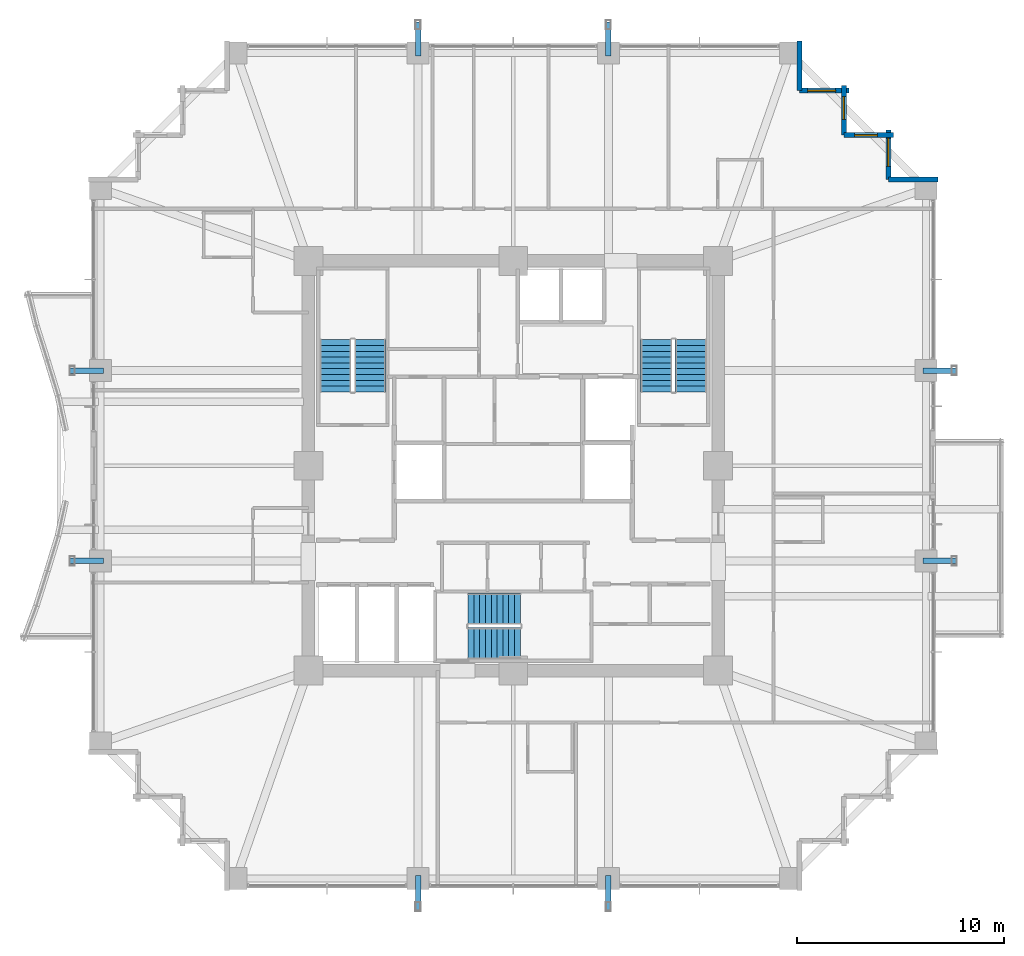
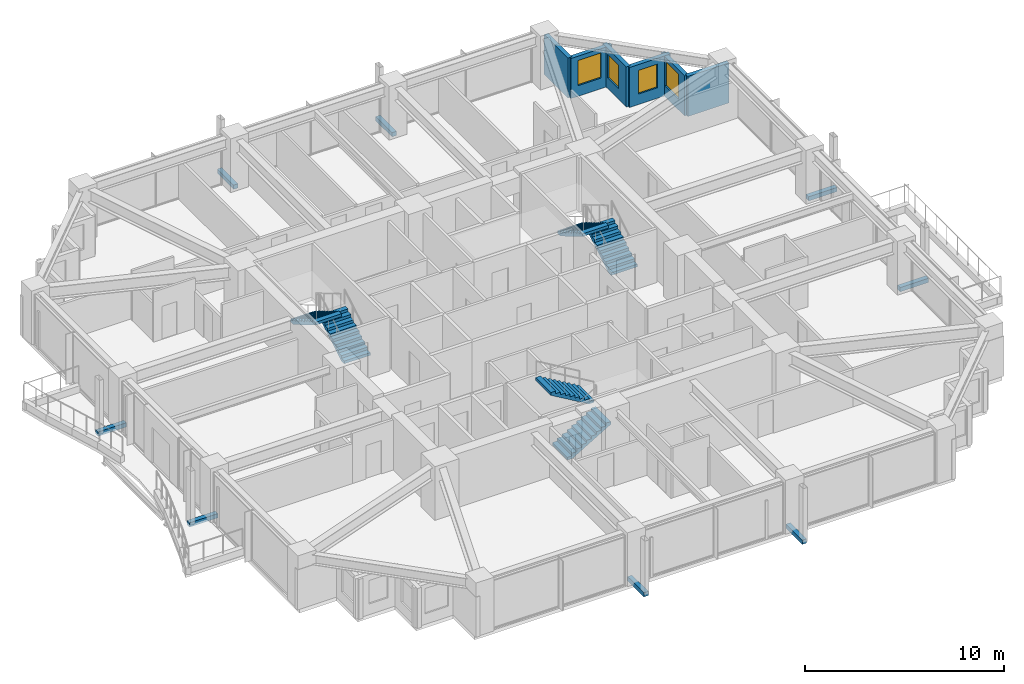
# One storey, part 35 of 37: 8 discrete accessories, 6 stair flights, 6 walls, 4 windows, 4 openings, 3 elements without a shape of their own.
"""IFC4 building model written with IfcOpenShell, lengths in metres."""

from ifc_helpers import new_model, si_unit, direction, frame, frame_2d, origin, origin_2d, place, context, subcontext, project, spatial, polyline, rectangle, outline, extrude, material, layer, layer_set, type_object, element, fill, aggregate, save


model = new_model("IFC4")

# Units and contexts
model_context = context("Model", 3, precision=1e-05, world=origin(), true_north=direction((0.0, 1.0)))
body_context = subcontext(model_context, "Body", "Model", "MODEL_VIEW")
ifc_project = project(units=[si_unit("LENGTHUNIT", "METRE"), si_unit("AREAUNIT", "SQUARE_METRE"), si_unit("VOLUMEUNIT", "CUBIC_METRE"), si_unit("PLANEANGLEUNIT", "RADIAN"), si_unit("MASSUNIT", "GRAM", prefix="KILO")], contexts=[model_context])

# Site, building, storey
site_placement = place(None, origin())
site = spatial("IfcSite", under=ifc_project, at=site_placement, CompositionType="ELEMENT")
building_placement = place(site_placement, origin())
building = spatial("IfcBuilding", under=site, at=building_placement, Name="Kolvaren Belvedere", CompositionType="ELEMENT")
storey_placement = place(building_placement, frame((0.0, 0.0, 82.10009765625)))
storey = spatial("IfcBuildingStorey", under=building, at=storey_placement, Name="L23", CompositionType="ELEMENT", Elevation=82.10009765625)

# Wall
ifc_material_1 = material(Name="Insulated pale-metal facade wall assembly", Category="aluminium")
ifc_layer = layer(ifc_material_1, 0.239990234375)
ifc_layer_set = layer_set([ifc_layer], Name="Insulated pale-metal facade wall assembly")
wall_type = type_object("IfcWallType", Name="WL-EXT-240", PredefinedType="STANDARD", material=ifc_layer_set)
wall_1_placement = place(storey_placement, frame((18.1298828125, 13.830078125, 0.0), z_axis=(0.0, 0.0, 1.0), x_axis=(1.0, 0.0, 0.0)))
element("IfcWall", 1, at=wall_1_placement, inside=storey, type_object=wall_type, Name="L23 Serrated Corner Facade Wall 9", PredefinedType="STANDARD", context=body_context, shape_type="SweptSolid", body=[
    extrude(rectangle(XDim=2.39013671875, YDim=0.239990234375, at=frame_2d((1.195068359375, 0.0))), origin(), (0.0, 0.0, 1.0), 2.458984375),
])

# Wall, opening, window
wall_2_placement = place(storey_placement, frame((18.1298828125, 16.219970703125, 0.0), z_axis=(0.0, 0.0, 1.0), x_axis=(0.0, -1.0, 0.0)))
wall_2 = element("IfcWall", 2, at=wall_2_placement, inside=storey, type_object=wall_type, Name="L23 Serrated Corner Facade Wall 10", PredefinedType="STANDARD", context=body_context, shape_type="SweptSolid", body=[
    extrude(rectangle(XDim=2.389892578125, YDim=0.239990234375, at=frame_2d((1.19482421875, 0.0))), origin(), (0.0, 0.0, 1.0), 2.458984375),
])
opening_1_placement = place(wall_2_placement, frame((0.39990234375, 0.0, 0.64990234375)))
opening_1 = element("IfcOpeningElement", 3, at=opening_1_placement, cuts=wall_2, Name="Opening W-1350", PredefinedType="OPENING", context=body_context, shape_type="SweptSolid", body=[
    extrude(rectangle(XDim=1.35009765625, YDim=1.550048828125, at=frame_2d((0.675048828125, 0.77490234375))), frame((0.0, 0.1298828125, 0.0), z_axis=(0.0, -1.0, 0.0), x_axis=(1.0, 0.0, 0.0)), (0.0, 0.0, 1.0), 0.260009765625),
])
ifc_material_2 = material(Name="Low-iron triple insulated glass", Category="glass")
window_type_1 = type_object("IfcWindowType", Name="WN-CORN-1350", PartitioningType="SINGLE_PANEL", PredefinedType="WINDOW", material=ifc_material_2)
window_1_placement = place(opening_1_placement, origin())
window_1 = element("IfcWindow", 4, at=window_1_placement, inside=storey, type_object=window_type_1, Name="L23 Serrated Corner Vision Window 10", OverallHeight=1.550048828125, OverallWidth=1.35009765625, PartitioningType="SINGLE_PANEL", PredefinedType="WINDOW", context=body_context, shape_type="SweptSolid", body=[
    extrude(rectangle(XDim=1.35009765625, YDim=1.550048828125, at=frame_2d((0.675048828125, 0.77490234375))), frame((0.0, 0.030029296875, 0.0), z_axis=(0.0, -1.0, 0.0), x_axis=(1.0, 0.0, 0.0)), (0.0, 0.0, 1.0), 0.06005859375),
])
fill(opening_1, window_1)

wall_3_placement = place(storey_placement, frame((15.97998046875, 15.97998046875, 0.0), z_axis=(0.0, 0.0, 1.0), x_axis=(1.0, 0.0, 0.0)))
wall_3 = element("IfcWall", 5, at=wall_3_placement, inside=storey, type_object=wall_type, Name="L23 Serrated Corner Facade Wall 11", PredefinedType="STANDARD", context=body_context, shape_type="SweptSolid", body=[
    extrude(rectangle(XDim=2.39013671875, YDim=0.239990234375, at=frame_2d((1.195068359375, 0.0))), origin(), (0.0, 0.0, 1.0), 2.458984375),
])
opening_2_placement = place(wall_3_placement, frame((0.52490234375, 0.0, 0.64990234375)))
opening_2 = element("IfcOpeningElement", 6, at=opening_2_placement, cuts=wall_3, Name="Opening W-1100", PredefinedType="OPENING", context=body_context, shape_type="SweptSolid", body=[
    extrude(rectangle(XDim=1.10009765625, YDim=1.449951171875, at=frame_2d((0.550048828125, 0.72509765625))), frame((0.0, 0.1298828125, 0.0), z_axis=(0.0, -1.0, 0.0), x_axis=(1.0, 0.0, 0.0)), (0.0, 0.0, 1.0), 0.260009765625),
])
ifc_material_3 = material(Name="Low-iron triple insulated glass", Category="glass")
window_type_2 = type_object("IfcWindowType", Name="WN-CORN-1100", PartitioningType="SINGLE_PANEL", PredefinedType="WINDOW", material=ifc_material_3)
window_2_placement = place(opening_2_placement, origin())
window_2 = element("IfcWindow", 7, at=window_2_placement, inside=storey, type_object=window_type_2, Name="L23 Serrated Corner Vision Window 11", OverallHeight=1.449951171875, OverallWidth=1.10009765625, PartitioningType="SINGLE_PANEL", PredefinedType="WINDOW", context=body_context, shape_type="SweptSolid", body=[
    extrude(rectangle(XDim=1.10009765625, YDim=1.449951171875, at=frame_2d((0.550048828125, 0.72509765625))), frame((0.0, 0.030029296875, 0.0), z_axis=(0.0, -1.0, 0.0), x_axis=(1.0, 0.0, 0.0)), (0.0, 0.0, 1.0), 0.06005859375),
])
fill(opening_2, window_2)

wall_4_placement = place(storey_placement, frame((15.97998046875, 18.3701171875, 0.0), z_axis=(0.0, 0.0, 1.0), x_axis=(0.0, -1.0, 0.0)))
wall_4 = element("IfcWall", 8, at=wall_4_placement, inside=storey, type_object=wall_type, Name="L23 Serrated Corner Facade Wall 12", PredefinedType="STANDARD", context=body_context, shape_type="SweptSolid", body=[
    extrude(rectangle(XDim=2.39013671875, YDim=0.239990234375, at=frame_2d((1.195068359375, 0.0))), origin(), (0.0, 0.0, 1.0), 2.458984375),
])
opening_3_placement = place(wall_4_placement, frame((0.52490234375, 0.0, 0.64990234375)))
opening_3 = element("IfcOpeningElement", 9, at=opening_3_placement, cuts=wall_4, Name="Opening W-1100", PredefinedType="OPENING", context=body_context, shape_type="SweptSolid", body=[
    extrude(rectangle(XDim=1.10009765625, YDim=1.449951171875, at=frame_2d((0.550048828125, 0.72509765625))), frame((0.0, 0.1298828125, 0.0), z_axis=(0.0, -1.0, 0.0), x_axis=(1.0, 0.0, 0.0)), (0.0, 0.0, 1.0), 0.260009765625),
])
window_3_placement = place(opening_3_placement, origin())
window_3 = element("IfcWindow", 10, at=window_3_placement, inside=storey, type_object=window_type_2, Name="L23 Serrated Corner Vision Window 12", OverallHeight=1.449951171875, OverallWidth=1.10009765625, PartitioningType="SINGLE_PANEL", PredefinedType="WINDOW", context=body_context, shape_type="SweptSolid", body=[
    extrude(rectangle(XDim=1.10009765625, YDim=1.449951171875, at=frame_2d((0.550048828125, 0.72509765625))), frame((0.0, 0.030029296875, 0.0), z_axis=(0.0, -1.0, 0.0), x_axis=(1.0, 0.0, 0.0)), (0.0, 0.0, 1.0), 0.06005859375),
])
fill(opening_3, window_3)

wall_5_placement = place(storey_placement, frame((13.830078125, 18.1298828125, 0.0), z_axis=(0.0, 0.0, 1.0), x_axis=(1.0, 0.0, 0.0)))
wall_5 = element("IfcWall", 11, at=wall_5_placement, inside=storey, type_object=wall_type, Name="L23 Serrated Corner Facade Wall 13", PredefinedType="STANDARD", context=body_context, shape_type="SweptSolid", body=[
    extrude(rectangle(XDim=2.389892578125, YDim=0.239990234375, at=frame_2d((1.19482421875, 0.0))), origin(), (0.0, 0.0, 1.0), 2.458984375),
])
opening_4_placement = place(wall_5_placement, frame((0.39990234375, 0.0, 0.64990234375)))
opening_4 = element("IfcOpeningElement", 12, at=opening_4_placement, cuts=wall_5, Name="Opening W-1350", PredefinedType="OPENING", context=body_context, shape_type="SweptSolid", body=[
    extrude(rectangle(XDim=1.35009765625, YDim=1.550048828125, at=frame_2d((0.675048828125, 0.77490234375))), frame((0.0, 0.1298828125, 0.0), z_axis=(0.0, -1.0, 0.0), x_axis=(1.0, 0.0, 0.0)), (0.0, 0.0, 1.0), 0.260009765625),
])
window_4_placement = place(opening_4_placement, origin())
window_4 = element("IfcWindow", 13, at=window_4_placement, inside=storey, type_object=window_type_1, Name="L23 Serrated Corner Vision Window 13", OverallHeight=1.550048828125, OverallWidth=1.35009765625, PartitioningType="SINGLE_PANEL", PredefinedType="WINDOW", context=body_context, shape_type="SweptSolid", body=[
    extrude(rectangle(XDim=1.35009765625, YDim=1.550048828125, at=frame_2d((0.675048828125, 0.77490234375))), frame((0.0, 0.030029296875, 0.0), z_axis=(0.0, -1.0, 0.0), x_axis=(1.0, 0.0, 0.0)), (0.0, 0.0, 1.0), 0.06005859375),
])
fill(opening_4, window_4)

# Wall
wall_6_placement = place(storey_placement, frame((13.830078125, 20.52001953125, 0.0), z_axis=(0.0, 0.0, 1.0), x_axis=(0.0, -1.0, 0.0)))
element("IfcWall", 14, at=wall_6_placement, inside=storey, type_object=wall_type, Name="L23 Serrated Corner Facade Wall 14", PredefinedType="STANDARD", context=body_context, shape_type="SweptSolid", body=[
    extrude(rectangle(XDim=2.39013671875, YDim=0.239990234375, at=frame_2d((1.195068359375, 0.0))), origin(), (0.0, 0.0, 1.0), 2.458984375),
])

# Stair, stair flights
ifc_material_4 = material(Name="Concrete C50/60", Category="concrete")
stair_type = type_object("IfcStairType", Name="ST-CORE-1520", PredefinedType="HALF_TURN_STAIR", material=ifc_material_4)
stair_1_placement = place(storey_placement, origin())
stair_1 = element("IfcStair", 15, at=stair_1_placement, inside=storey, type_object=stair_type, Name="L23 Protected Exit Stair ST-1", PredefinedType="HALF_TURN_STAIR")
ifc_material_5 = material(Name="Concrete C50/60", Category="concrete")
stair_flight_type = type_object("IfcStairFlightType", Name="SF-STR-1520", PredefinedType="STRAIGHT", material=ifc_material_5)
stair_flight_1_placement = place(storey_placement, frame((-6.919921875, 3.570068359375, 0.0), z_axis=(0.0, 0.0, 1.0), x_axis=(0.0, 1.0, 0.0)))
stair_flight_1 = element("IfcStairFlight", 16, at=stair_flight_1_placement, type_object=stair_flight_type, Name="ST-1 flight 1", NumberOfRisers=10, NumberOfTreads=9, PredefinedType="STRAIGHT", RiserHeight=0.165, TreadLength=0.28, context=body_context, shape_type="SweptSolid", body=[
    extrude(outline(polyline([(0.0, 0.0), (0.0, 0.1650390625), (0.280029296875, 0.1650390625), (0.280029296875, 0.330078125), (0.56005859375, 0.330078125), (0.56005859375, 0.4951171875), (0.840087890625, 0.4951171875), (0.840087890625, 0.659912109375), (1.1201171875, 0.659912109375), (1.1201171875, 0.824951171875), (1.39990234375, 0.824951171875), (1.39990234375, 0.989990234375), (1.679931640625, 0.989990234375), (1.679931640625, 1.155029296875), (1.9599609375, 1.155029296875), (1.9599609375, 1.320068359375), (2.239990234375, 1.320068359375), (2.239990234375, 1.485107421875), (2.52001953125, 1.485107421875), (2.52001953125, 1.64990234375), (2.52001953125, 1.31103515625), (0.295166015625, 0.0), (0.0, 0.0)])), frame((0.0, 0.760009765625, 0.0), z_axis=(0.0, -1.0, 0.0), x_axis=(1.0, 0.0, 0.0)), (0.0, 0.0, 1.0), 1.52001953125),
])
stair_flight_2_placement = place(storey_placement, frame((-8.590087890625, 6.090087890625, 1.64990234375), z_axis=(0.0, 0.0, 1.0), x_axis=(0.0, -1.0, 0.0)))
stair_flight_2 = element("IfcStairFlight", 17, at=stair_flight_2_placement, type_object=stair_flight_type, Name="ST-1 flight 2", NumberOfRisers=10, NumberOfTreads=9, PredefinedType="STRAIGHT", RiserHeight=0.165, TreadLength=0.28, context=body_context, shape_type="SweptSolid", body=[
    extrude(outline(polyline([(0.0, 0.0), (0.0, 0.1650390625), (0.280029296875, 0.1650390625), (0.280029296875, 0.330078125), (0.56005859375, 0.330078125), (0.56005859375, 0.4951171875), (0.840087890625, 0.4951171875), (0.840087890625, 0.659912109375), (1.1201171875, 0.659912109375), (1.1201171875, 0.824951171875), (1.39990234375, 0.824951171875), (1.39990234375, 0.989990234375), (1.679931640625, 0.989990234375), (1.679931640625, 1.155029296875), (1.9599609375, 1.155029296875), (1.9599609375, 1.320068359375), (2.239990234375, 1.320068359375), (2.239990234375, 1.485107421875), (2.52001953125, 1.485107421875), (2.52001953125, 1.64990234375), (2.52001953125, 1.31103515625), (0.295166015625, 0.0), (0.0, 0.0)])), frame((0.0, 0.760009765625, 0.0), z_axis=(0.0, -1.0, 0.0), x_axis=(1.0, 0.0, 0.0)), (0.0, 0.0, 1.0), 1.52001953125),
])
aggregate(stair_1, [stair_flight_1, stair_flight_2])

stair_2_placement = place(storey_placement, origin())
stair_2 = element("IfcStair", 18, at=stair_2_placement, inside=storey, type_object=stair_type, Name="L23 Protected Exit Stair ST-2", PredefinedType="HALF_TURN_STAIR")
stair_flight_3_placement = place(storey_placement, frame((8.590087890625, 3.570068359375, 0.0), z_axis=(0.0, 0.0, 1.0), x_axis=(0.0, 1.0, 0.0)))
stair_flight_3 = element("IfcStairFlight", 19, at=stair_flight_3_placement, type_object=stair_flight_type, Name="ST-2 flight 1", NumberOfRisers=10, NumberOfTreads=9, PredefinedType="STRAIGHT", RiserHeight=0.165, TreadLength=0.28, context=body_context, shape_type="SweptSolid", body=[
    extrude(outline(polyline([(0.0, 0.0), (0.0, 0.1650390625), (0.280029296875, 0.1650390625), (0.280029296875, 0.330078125), (0.56005859375, 0.330078125), (0.56005859375, 0.4951171875), (0.840087890625, 0.4951171875), (0.840087890625, 0.659912109375), (1.1201171875, 0.659912109375), (1.1201171875, 0.824951171875), (1.39990234375, 0.824951171875), (1.39990234375, 0.989990234375), (1.679931640625, 0.989990234375), (1.679931640625, 1.155029296875), (1.9599609375, 1.155029296875), (1.9599609375, 1.320068359375), (2.239990234375, 1.320068359375), (2.239990234375, 1.485107421875), (2.52001953125, 1.485107421875), (2.52001953125, 1.64990234375), (2.52001953125, 1.31103515625), (0.295166015625, 0.0), (0.0, 0.0)])), frame((0.0, 0.760009765625, 0.0), z_axis=(0.0, -1.0, 0.0), x_axis=(1.0, 0.0, 0.0)), (0.0, 0.0, 1.0), 1.52001953125),
])
stair_flight_4_placement = place(storey_placement, frame((6.919921875, 6.090087890625, 1.64990234375), z_axis=(0.0, 0.0, 1.0), x_axis=(0.0, -1.0, 0.0)))
stair_flight_4 = element("IfcStairFlight", 20, at=stair_flight_4_placement, type_object=stair_flight_type, Name="ST-2 flight 2", NumberOfRisers=10, NumberOfTreads=9, PredefinedType="STRAIGHT", RiserHeight=0.165, TreadLength=0.28, context=body_context, shape_type="SweptSolid", body=[
    extrude(outline(polyline([(0.0, 0.0), (0.0, 0.1650390625), (0.280029296875, 0.1650390625), (0.280029296875, 0.330078125), (0.56005859375, 0.330078125), (0.56005859375, 0.4951171875), (0.840087890625, 0.4951171875), (0.840087890625, 0.659912109375), (1.1201171875, 0.659912109375), (1.1201171875, 0.824951171875), (1.39990234375, 0.824951171875), (1.39990234375, 0.989990234375), (1.679931640625, 0.989990234375), (1.679931640625, 1.155029296875), (1.9599609375, 1.155029296875), (1.9599609375, 1.320068359375), (2.239990234375, 1.320068359375), (2.239990234375, 1.485107421875), (2.52001953125, 1.485107421875), (2.52001953125, 1.64990234375), (2.52001953125, 1.31103515625), (0.295166015625, 0.0), (0.0, 0.0)])), frame((0.0, 0.760009765625, 0.0), z_axis=(0.0, -1.0, 0.0), x_axis=(1.0, 0.0, 0.0)), (0.0, 0.0, 1.0), 1.52001953125),
])
aggregate(stair_2, [stair_flight_3, stair_flight_4])

stair_3_placement = place(storey_placement, origin())
stair_3 = element("IfcStair", 21, at=stair_3_placement, inside=storey, type_object=stair_type, Name="L23 Protected Exit Stair ST-3", PredefinedType="HALF_TURN_STAIR")
stair_flight_5_placement = place(storey_placement, frame((-2.179931640625, -8.590087890625, 0.0), z_axis=(0.0, 0.0, 1.0), x_axis=(1.0, 0.0, 0.0)))
stair_flight_5 = element("IfcStairFlight", 22, at=stair_flight_5_placement, type_object=stair_flight_type, Name="ST-3 flight 1", NumberOfRisers=10, NumberOfTreads=9, PredefinedType="STRAIGHT", RiserHeight=0.165, TreadLength=0.28, context=body_context, shape_type="SweptSolid", body=[
    extrude(outline(polyline([(0.0, 0.0), (0.0, 0.1650390625), (0.280029296875, 0.1650390625), (0.280029296875, 0.330078125), (0.56005859375, 0.330078125), (0.56005859375, 0.4951171875), (0.840087890625, 0.4951171875), (0.840087890625, 0.659912109375), (1.1201171875, 0.659912109375), (1.1201171875, 0.824951171875), (1.39990234375, 0.824951171875), (1.39990234375, 0.989990234375), (1.679931640625, 0.989990234375), (1.679931640625, 1.155029296875), (1.9599609375, 1.155029296875), (1.9599609375, 1.320068359375), (2.239990234375, 1.320068359375), (2.239990234375, 1.485107421875), (2.52001953125, 1.485107421875), (2.52001953125, 1.64990234375), (2.52001953125, 1.31103515625), (0.295166015625, 0.0), (0.0, 0.0)])), frame((0.0, 0.760009765625, 0.0), z_axis=(0.0, -1.0, 0.0), x_axis=(1.0, 0.0, 0.0)), (0.0, 0.0, 1.0), 1.52001953125),
])
stair_flight_6_placement = place(storey_placement, frame((0.340087890625, -6.919921875, 1.64990234375), z_axis=(0.0, 0.0, 1.0), x_axis=(-1.0, 0.0, 0.0)))
stair_flight_6 = element("IfcStairFlight", 23, at=stair_flight_6_placement, type_object=stair_flight_type, Name="ST-3 flight 2", NumberOfRisers=10, NumberOfTreads=9, PredefinedType="STRAIGHT", RiserHeight=0.165, TreadLength=0.28, context=body_context, shape_type="SweptSolid", body=[
    extrude(outline(polyline([(0.0, 0.0), (0.0, 0.1650390625), (0.280029296875, 0.1650390625), (0.280029296875, 0.330078125), (0.56005859375, 0.330078125), (0.56005859375, 0.4951171875), (0.840087890625, 0.4951171875), (0.840087890625, 0.659912109375), (1.1201171875, 0.659912109375), (1.1201171875, 0.824951171875), (1.39990234375, 0.824951171875), (1.39990234375, 0.989990234375), (1.679931640625, 0.989990234375), (1.679931640625, 1.155029296875), (1.9599609375, 1.155029296875), (1.9599609375, 1.320068359375), (2.239990234375, 1.320068359375), (2.239990234375, 1.485107421875), (2.52001953125, 1.485107421875), (2.52001953125, 1.64990234375), (2.52001953125, 1.31103515625), (0.295166015625, 0.0), (0.0, 0.0)])), frame((0.0, 0.760009765625, 0.0), z_axis=(0.0, -1.0, 0.0), x_axis=(1.0, 0.0, 0.0)), (0.0, 0.0, 1.0), 1.52001953125),
])
aggregate(stair_3, [stair_flight_5, stair_flight_6])

# Discrete accessories
ifc_material_6 = material(Name="Structural steel ASTM A572 Grade 50", Category="steel")
discrete_accessory_type = type_object("IfcDiscreteAccessoryType", Name="BRK-1 Steel Facade Support Bracket", PredefinedType="BRACKET", material=ifc_material_6)
for number, where, z_axis, x_axis, name in (
    (24, (-4.60009765625, 20.635009765625, -0.169921875), (0.0, 0.0, 1.0), (0.0, 1.0, 0.0), "L23 Picture-Frame Outrigger Cleat Bracket N1"),
    (25, (4.60009765625, 20.635009765625, -0.169921875), (0.0, 0.0, 1.0), (0.0, 1.0, 0.0), "L23 Picture-Frame Outrigger Cleat Bracket N2"),
    (26, (4.60009765625, -20.635009765625, -0.169921875), (0.0, 0.0, 1.0), (0.0, 1.0, 0.0), "L23 Picture-Frame Outrigger Cleat Bracket S1"),
    (27, (-4.60009765625, -20.635009765625, -0.169921875), (0.0, 0.0, 1.0), (0.0, 1.0, 0.0), "L23 Picture-Frame Outrigger Cleat Bracket S2"),
    (28, (20.635009765625, 4.60009765625, -0.169921875), (0.0, 0.0, 1.0), (1.0, 0.0, 0.0), "L23 Picture-Frame Outrigger Cleat Bracket E1"),
    (29, (20.635009765625, -4.60009765625, -0.169921875), (0.0, 0.0, 1.0), (1.0, 0.0, 0.0), "L23 Picture-Frame Outrigger Cleat Bracket E2"),
    (30, (-20.635009765625, -4.60009765625, -0.169921875), (0.0, 0.0, 1.0), (1.0, 0.0, 0.0), "L23 Picture-Frame Outrigger Cleat Bracket W1"),
    (31, (-20.635009765625, 4.60009765625, -0.169921875), (0.0, 0.0, 1.0), (1.0, 0.0, 0.0), "L23 Picture-Frame Outrigger Cleat Bracket W2"),
):
    element("IfcDiscreteAccessory", number, at=place(storey_placement, frame(where, z_axis=z_axis, x_axis=x_axis)), inside=storey, type_object=discrete_accessory_type, Name=name, PredefinedType="BRACKET", context=body_context, shape_type="SweptSolid", body=[
        extrude(rectangle(XDim=1.639892578125, YDim=0.260009765625, at=origin_2d()), origin(), (0.0, 0.0, 1.0), 0.260009765625),
    ])

save(model, "model.ifc")
